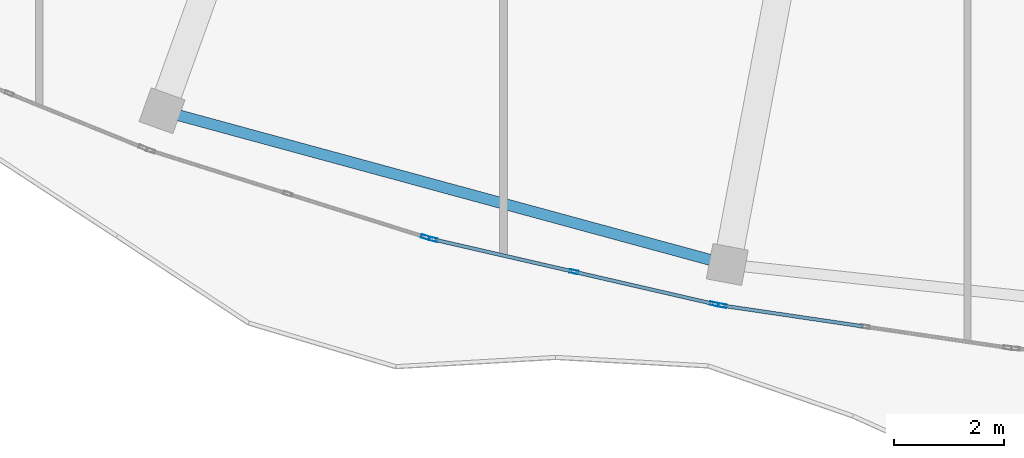
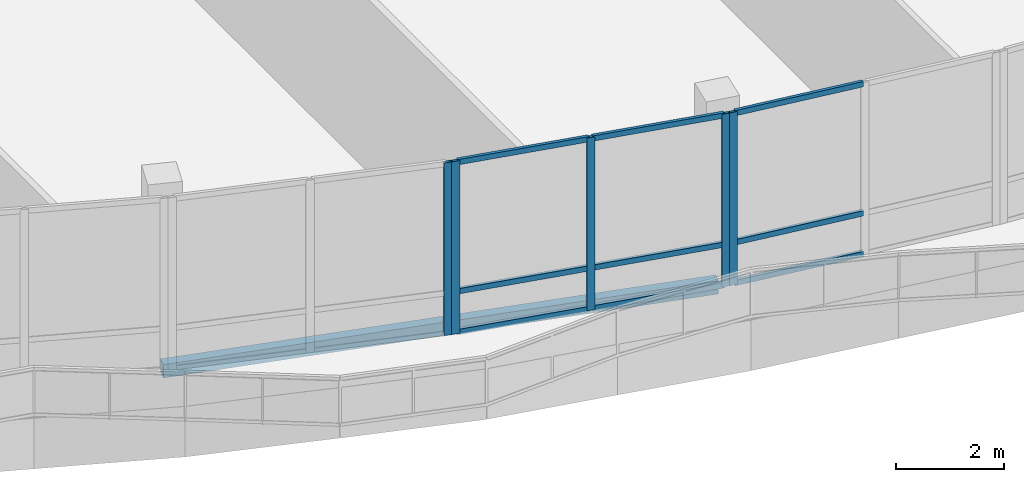
# One storey, part 14 of 184: 14 members, 1 beam, 3 elements without a shape of their own.
"""IFC4 building model written with IfcOpenShell, lengths in metres."""

from ifc_helpers import new_model, si_unit, direction, frame, origin, origin_2d, place, context, subcontext, project, spatial, hollow_rectangle, extrude, material, material_profile, profile_set, type_object, element, aggregate, save


model = new_model("IFC4")

# Units and contexts
model_context = context("Model", 3, precision=1e-05, world=origin(), true_north=direction((0.0, 1.0)))
body_context = subcontext(model_context, "Body", "Model", "MODEL_VIEW")
ifc_project = project(units=[si_unit("LENGTHUNIT", "METRE"), si_unit("AREAUNIT", "SQUARE_METRE"), si_unit("VOLUMEUNIT", "CUBIC_METRE"), si_unit("PLANEANGLEUNIT", "RADIAN"), si_unit("MASSUNIT", "GRAM", prefix="KILO")], contexts=[model_context])

# Site, building, storey
site_placement = place(None, origin())
site = spatial("IfcSite", under=ifc_project, at=site_placement, CompositionType="ELEMENT")
building_placement = place(site_placement, origin())
building = spatial("IfcBuilding", under=site, at=building_placement, Name="Selatvlak General Hospital", CompositionType="ELEMENT")
storey_placement = place(building_placement, frame((0.0, 0.0, 15.0)))
storey = spatial("IfcBuildingStorey", under=building, at=storey_placement, Name="L03", CompositionType="ELEMENT", Elevation=15.0)

# Beam
ifc_material_1 = material(Name="Steel S355", Category="steel")
ifc_material_profile_1 = material_profile(ifc_material_1, hollow_rectangle(XDim=0.199951171875, YDim=0.300048828125, WallThickness=0.011962890625, at=origin_2d()), Name="RHS 300x200x12")
ifc_profile_set_1 = profile_set([ifc_material_profile_1], Name="Steel S355")
beam_type = type_object("IfcBeamType", Name="BM-SP3", PredefinedType="SPANDREL", material=ifc_profile_set_1)
beam_placement = place(storey_placement, frame((33.4189453125, 16.68603515625, -0.489990234375), z_axis=(0.964929381724, -0.26250959656, 0.0), x_axis=(0.26250959656, 0.964929381724, 0.0)))
element("IfcBeam", 1, at=beam_placement, inside=storey, type_object=beam_type, Name="Beam BMR-L03-1491", PredefinedType="SPANDREL", context=body_context, shape_type="SweptSolid", body=[
    extrude(hollow_rectangle(XDim=0.199951171875, YDim=0.300048828125, WallThickness=0.011962890625, at=origin_2d()), origin(), (0.0, 0.0, 1.0), 10.60498046875),
])

# Curtain wall, member
ifc_material_2 = material(Name="Solar-control Low-E double glazing", Category="glass")
curtain_wall_type_1 = type_object("IfcCurtainWallType", Name="CW-CW-01", PredefinedType="USERDEFINED", material=ifc_material_2)
curtain_wall_1_placement = place(storey_placement, origin())
curtain_wall_1 = element("IfcCurtainWall", 2, at=curtain_wall_1_placement, inside=storey, type_object=curtain_wall_type_1, Name="Glazed facade curtain wall CW-L03-0429", ObjectType="UNITISED CURTAIN WALL", PredefinedType="USERDEFINED")
ifc_material_3 = material(Name="Dark anodised aluminium mullion", Category="aluminium")
ifc_material_profile_2 = material_profile(ifc_material_3, hollow_rectangle(XDim=0.06494140625, YDim=0.159912109375, WallThickness=0.00390625, at=origin_2d()), Name="AL-MUL 65x160x4")
ifc_profile_set_2 = profile_set([ifc_material_profile_2], Name="Dark anodised aluminium mullion")
member_type_1 = type_object("IfcMemberType", Name="CWM-01", PredefinedType="MULLION", material=ifc_profile_set_2)
member_1_placement = place(storey_placement, frame((43.56103515625, 13.158203125, 0.0), z_axis=(0.0, 0.0, 1.0), x_axis=(-0.145842510319, -0.989307819732, 0.0)))
member_1 = element("IfcMember", 3, at=member_1_placement, type_object=member_type_1, Name="CW-01 mullion 3", PredefinedType="MULLION", context=body_context, shape_type="SweptSolid", body=[
    extrude(hollow_rectangle(XDim=0.06494140625, YDim=0.159912109375, WallThickness=0.00390625, at=origin_2d()), origin(), (0.0, 0.0, 1.0), 3.89501953125),
])

# Curtain wall, members
curtain_wall_type_2 = type_object("IfcCurtainWallType", Name="CW-CW-02", PredefinedType="USERDEFINED", material=ifc_material_2)
curtain_wall_2_placement = place(storey_placement, origin())
curtain_wall_2 = element("IfcCurtainWall", 4, at=curtain_wall_2_placement, inside=storey, type_object=curtain_wall_type_2, Name="Glazed facade curtain wall CW-L03-0430", ObjectType="UNITISED CURTAIN WALL", PredefinedType="USERDEFINED")
member_2_placement = place(storey_placement, frame((43.418212890625, 13.186279296875, 0.0), z_axis=(0.0, 0.0, 1.0), x_axis=(-0.224154879176, -0.974553533749, 0.0)))
member_2 = element("IfcMember", 5, at=member_2_placement, type_object=member_type_1, Name="CW-02 mullion 1", PredefinedType="MULLION", context=body_context, shape_type="SweptSolid", body=[
    extrude(hollow_rectangle(XDim=0.06494140625, YDim=0.159912109375, WallThickness=0.00390625, at=origin_2d()), origin(), (0.0, 0.0, 1.0), 3.89501953125),
])
member_3_placement = place(storey_placement, frame((40.8740234375, 13.771484375, 0.0), z_axis=(0.0, 0.0, 1.0), x_axis=(-0.224154879176, -0.974553533749, 0.0)))
member_3 = element("IfcMember", 6, at=member_3_placement, type_object=member_type_1, Name="CW-02 mullion 2", PredefinedType="MULLION", context=body_context, shape_type="SweptSolid", body=[
    extrude(hollow_rectangle(XDim=0.06494140625, YDim=0.159912109375, WallThickness=0.00390625, at=origin_2d()), origin(), (0.0, 0.0, 1.0), 3.89501953125),
])
member_4_placement = place(storey_placement, frame((38.32958984375, 14.356689453125, 0.0), z_axis=(0.0, 0.0, 1.0), x_axis=(-0.224154879176, -0.974553533749, 0.0)))
member_4 = element("IfcMember", 7, at=member_4_placement, type_object=member_type_1, Name="CW-02 mullion 3", PredefinedType="MULLION", context=body_context, shape_type="SweptSolid", body=[
    extrude(hollow_rectangle(XDim=0.06494140625, YDim=0.159912109375, WallThickness=0.00390625, at=origin_2d()), origin(), (0.0, 0.0, 1.0), 3.89501953125),
])

# Curtain wall, member
curtain_wall_3_placement = place(storey_placement, origin())
curtain_wall_3 = element("IfcCurtainWall", 8, at=curtain_wall_3_placement, inside=storey, type_object=curtain_wall_type_1, Name="Glazed facade curtain wall CW-L03-0431", ObjectType="UNITISED CURTAIN WALL", PredefinedType="USERDEFINED")
member_5_placement = place(storey_placement, frame((38.18994140625, 14.396728515625, 0.0), z_axis=(0.0, 0.0, 1.0), x_axis=(-0.30046120424, -0.953794036858, 0.0)))
member_5 = element("IfcMember", 9, at=member_5_placement, type_object=member_type_1, Name="CW-01 mullion 1", PredefinedType="MULLION", context=body_context, shape_type="SweptSolid", body=[
    extrude(hollow_rectangle(XDim=0.06494140625, YDim=0.159912109375, WallThickness=0.00390625, at=origin_2d()), origin(), (0.0, 0.0, 1.0), 3.89501953125),
])
aggregate(curtain_wall_3, [member_5])

# Member
ifc_material_profile_3 = material_profile(ifc_material_3, hollow_rectangle(XDim=0.06494140625, YDim=0.1201171875, WallThickness=0.00390625, at=origin_2d()), Name="AL-TRN 65x120x4")
ifc_profile_set_3 = profile_set([ifc_material_profile_3], Name="Dark anodised aluminium mullion")
member_type_2 = type_object("IfcMemberType", Name="CWT-01", PredefinedType="USERDEFINED", material=ifc_profile_set_3)
member_6_placement = place(storey_placement, frame((46.11181640625, 12.7822265625, 0.032470703125), z_axis=(-0.989304660592, 0.145863938422, 0.0), x_axis=(-0.145863938422, -0.989304660592, 0.0)))
member_6 = element("IfcMember", 10, at=member_6_placement, type_object=member_type_2, Name="CW-01 transom 2.1", ObjectType="TRANSOM", PredefinedType="USERDEFINED", context=body_context, shape_type="SweptSolid", body=[
    extrude(hollow_rectangle(XDim=0.06494140625, YDim=0.1201171875, WallThickness=0.00390625, at=origin_2d()), origin(), (0.0, 0.0, 1.0), 2.5458984375),
])

member_7_placement = place(storey_placement, frame((46.11181640625, 12.7822265625, 0.949951171875), z_axis=(-0.989304660592, 0.145863938422, 0.0), x_axis=(-0.145863938422, -0.989304660592, 0.0)))
member_7 = element("IfcMember", 11, at=member_7_placement, type_object=member_type_2, Name="CW-01 transom 2.2", ObjectType="TRANSOM", PredefinedType="USERDEFINED", context=body_context, shape_type="SweptSolid", body=[
    extrude(hollow_rectangle(XDim=0.06494140625, YDim=0.1201171875, WallThickness=0.00390625, at=origin_2d()), origin(), (0.0, 0.0, 1.0), 2.5458984375),
])

member_8_placement = place(storey_placement, frame((46.11181640625, 12.7822265625, 3.862548828125), z_axis=(-0.989304660592, 0.145863938422, 0.0), x_axis=(-0.145863938422, -0.989304660592, 0.0)))
member_8 = element("IfcMember", 12, at=member_8_placement, type_object=member_type_2, Name="CW-01 transom 2.3", ObjectType="TRANSOM", PredefinedType="USERDEFINED", context=body_context, shape_type="SweptSolid", body=[
    extrude(hollow_rectangle(XDim=0.06494140625, YDim=0.1201171875, WallThickness=0.00390625, at=origin_2d()), origin(), (0.0, 0.0, 1.0), 2.5458984375),
])

aggregate(curtain_wall_1, [member_1, member_6, member_7, member_8])

member_9_placement = place(storey_placement, frame((43.38671875, 13.193603515625, 0.032470703125), z_axis=(-0.974560633156, 0.224124010991, 0.0), x_axis=(-0.224124010991, -0.974560633156, 0.0)))
member_9 = element("IfcMember", 13, at=member_9_placement, type_object=member_type_2, Name="CW-02 transom 1.1", ObjectType="TRANSOM", PredefinedType="USERDEFINED", context=body_context, shape_type="SweptSolid", body=[
    extrude(hollow_rectangle(XDim=0.06494140625, YDim=0.1201171875, WallThickness=0.00390625, at=origin_2d()), origin(), (0.0, 0.0, 1.0), 2.545654296875),
])

member_10_placement = place(storey_placement, frame((43.38671875, 13.193603515625, 0.949951171875), z_axis=(-0.974560633156, 0.224124010991, 0.0), x_axis=(-0.224124010991, -0.974560633156, 0.0)))
member_10 = element("IfcMember", 14, at=member_10_placement, type_object=member_type_2, Name="CW-02 transom 1.2", ObjectType="TRANSOM", PredefinedType="USERDEFINED", context=body_context, shape_type="SweptSolid", body=[
    extrude(hollow_rectangle(XDim=0.06494140625, YDim=0.1201171875, WallThickness=0.00390625, at=origin_2d()), origin(), (0.0, 0.0, 1.0), 2.545654296875),
])

member_11_placement = place(storey_placement, frame((43.38671875, 13.193603515625, 3.862548828125), z_axis=(-0.974560633156, 0.224124010991, 0.0), x_axis=(-0.224124010991, -0.974560633156, 0.0)))
member_11 = element("IfcMember", 15, at=member_11_placement, type_object=member_type_2, Name="CW-02 transom 1.3", ObjectType="TRANSOM", PredefinedType="USERDEFINED", context=body_context, shape_type="SweptSolid", body=[
    extrude(hollow_rectangle(XDim=0.06494140625, YDim=0.1201171875, WallThickness=0.00390625, at=origin_2d()), origin(), (0.0, 0.0, 1.0), 2.545654296875),
])

member_12_placement = place(storey_placement, frame((40.84228515625, 13.77880859375, 0.032470703125), z_axis=(-0.974560633156, 0.224124010991, 0.0), x_axis=(-0.224124010991, -0.974560633156, 0.0)))
member_12 = element("IfcMember", 16, at=member_12_placement, type_object=member_type_2, Name="CW-02 transom 2.1", ObjectType="TRANSOM", PredefinedType="USERDEFINED", context=body_context, shape_type="SweptSolid", body=[
    extrude(hollow_rectangle(XDim=0.06494140625, YDim=0.1201171875, WallThickness=0.00390625, at=origin_2d()), origin(), (0.0, 0.0, 1.0), 2.545654296875),
])

member_13_placement = place(storey_placement, frame((40.84228515625, 13.77880859375, 0.949951171875), z_axis=(-0.974560633156, 0.224124010991, 0.0), x_axis=(-0.224124010991, -0.974560633156, 0.0)))
member_13 = element("IfcMember", 17, at=member_13_placement, type_object=member_type_2, Name="CW-02 transom 2.2", ObjectType="TRANSOM", PredefinedType="USERDEFINED", context=body_context, shape_type="SweptSolid", body=[
    extrude(hollow_rectangle(XDim=0.06494140625, YDim=0.1201171875, WallThickness=0.00390625, at=origin_2d()), origin(), (0.0, 0.0, 1.0), 2.545654296875),
])

member_14_placement = place(storey_placement, frame((40.84228515625, 13.77880859375, 3.862548828125), z_axis=(-0.974560633156, 0.224124010991, 0.0), x_axis=(-0.224124010991, -0.974560633156, 0.0)))
member_14 = element("IfcMember", 18, at=member_14_placement, type_object=member_type_2, Name="CW-02 transom 2.3", ObjectType="TRANSOM", PredefinedType="USERDEFINED", context=body_context, shape_type="SweptSolid", body=[
    extrude(hollow_rectangle(XDim=0.06494140625, YDim=0.1201171875, WallThickness=0.00390625, at=origin_2d()), origin(), (0.0, 0.0, 1.0), 2.545654296875),
])

aggregate(curtain_wall_2, [member_2, member_3, member_4, member_9, member_10, member_11, member_12, member_13, member_14])

save(model, "model.ifc")
